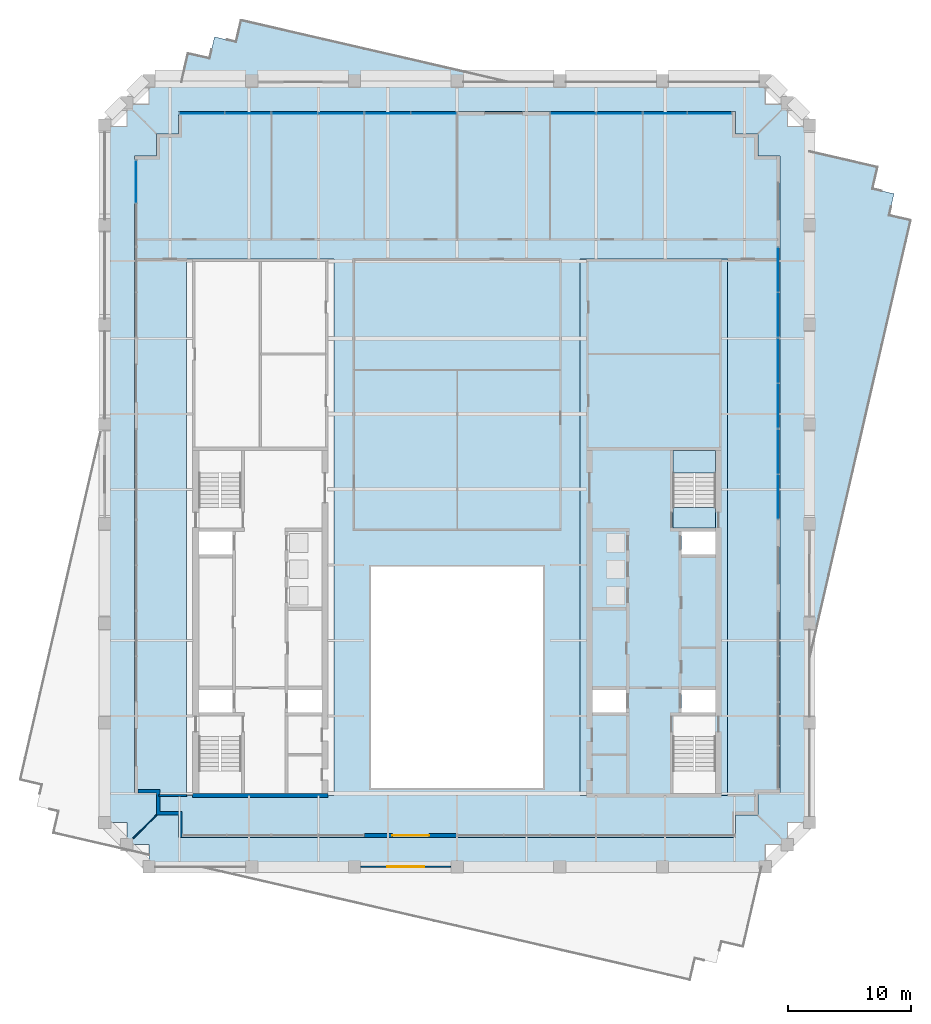
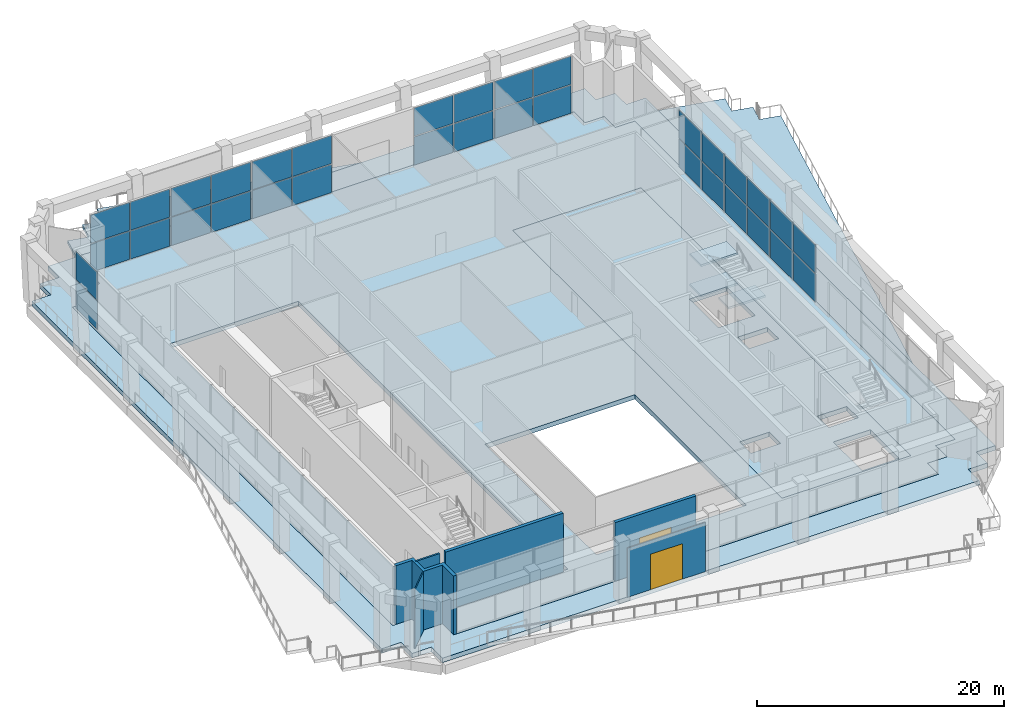
# One storey, part 10 of 20: 34 plates, 8 slabs, 6 walls, 2 doors, 2 openings, 10 elements without a shape of their own.
"""IFC4 building model written with IfcOpenShell, lengths in metres."""

from ifc_helpers import new_model, si_unit, direction, frame, frame_2d, origin, origin_2d, place, context, subcontext, project, spatial, polyline, rectangle, outline, extrude, material, layer, layer_set, type_object, element, fill, aggregate, save


model = new_model("IFC4")

# Units and contexts
model_context = context("Model", 3, precision=1e-05, world=origin(), true_north=direction((0.0, 1.0)))
body_context = subcontext(model_context, "Body", "Model", "MODEL_VIEW")
ifc_project = project(units=[si_unit("LENGTHUNIT", "METRE"), si_unit("AREAUNIT", "SQUARE_METRE"), si_unit("VOLUMEUNIT", "CUBIC_METRE"), si_unit("PLANEANGLEUNIT", "RADIAN"), si_unit("MASSUNIT", "GRAM", prefix="KILO")], contexts=[model_context])

# Site, building, storey
site_placement = place(None, origin())
site = spatial("IfcSite", under=ifc_project, at=site_placement, CompositionType="ELEMENT")
building_placement = place(site_placement, origin())
building = spatial("IfcBuilding", under=site, at=building_placement, Name="Ogive Exchange Tower", CompositionType="ELEMENT")
storey_placement = place(building_placement, frame((0.0, 0.0, 303.0)))
storey = spatial("IfcBuildingStorey", under=building, at=storey_placement, Name="L66", CompositionType="ELEMENT", Elevation=303.0)

# Slab
ifc_material_1 = material(Name="Concrete C70/85", Category="concrete")
ifc_layer_1 = layer(ifc_material_1, 0.449951171875)
ifc_layer_set_1 = layer_set([ifc_layer_1], Name="Core floor slab 450")
slab_type_1 = type_object("IfcSlabType", Name="Core floor slab 450", PredefinedType="FLOOR", material=ifc_layer_set_1)
slab_1_placement = place(storey_placement, frame((0.0, 0.0, -0.449951171875)))
element("IfcSlab", 1, at=slab_1_placement, inside=storey, type_object=slab_type_1, Name="Core floor slab", PredefinedType="FLOOR", context=body_context, shape_type="SweptSolid", body=[
    extrude(outline(polyline([(10.0, -2.60009765625), (10.0, 41.0), (22.0, 41.0), (22.0, -2.60009765625), (10.0, -2.60009765625)]), holes=[polyline([(21.0, 2.196044921875), (17.550048828125, 2.196044921875), (17.550048828125, -2.449951171875), (21.0, -2.449951171875), (21.0, 2.196044921875)]), polyline([(11.0, 5.992919921875), (11.0, 4.14990234375), (13.75, 4.14990234375), (13.75, 5.992919921875), (11.0, 5.992919921875)]), polyline([(18.25, 5.992919921875), (18.25, 4.14990234375), (21.0, 4.14990234375), (21.0, 5.992919921875), (18.25, 5.992919921875)]), polyline([(21.0, 18.85009765625), (18.25, 18.85009765625), (18.25, 17.007080078125), (21.0, 17.007080078125), (21.0, 18.85009765625)]), polyline([(17.550048828125, 25.449951171875), (17.550048828125, 20.803955078125), (21.0, 20.803955078125), (21.0, 25.449951171875), (17.550048828125, 25.449951171875)])]), origin(), (0.0, 0.0, 1.0), 0.449951171875),
])

# Curtain wall, plates
ifc_material_2 = material(Name="Anodised aluminium and clear glass", Category="aluminium")
curtain_wall_type = type_object("IfcCurtainWallType", Name="Winter garden glazing", PredefinedType="NOTDEFINED", material=ifc_material_2)
curtain_wall_1_placement = place(storey_placement, origin())
curtain_wall_1 = element("IfcCurtainWall", 2, at=curtain_wall_1_placement, inside=storey, type_object=curtain_wall_type, Name="Winter garden glazing run G10", PredefinedType="NOTDEFINED")
ifc_material_3 = material(Name="Clear glass", Category="glass")
ifc_layer_2 = layer(ifc_material_3, 0.035888671875)
ifc_layer_set_2 = layer_set([ifc_layer_2], Name="Laminated clear glass panel 36")
plate_type = type_object("IfcPlateType", Name="Laminated clear glass panel 36", PredefinedType="CURTAIN_PANEL", material=ifc_layer_set_2)
plate_1_placement = place(storey_placement, frame((26.10009765625, 21.669921875, 0.080078125), z_axis=(0.0, 0.0, 1.0), x_axis=(0.0, 1.0, 0.0)))
plate_1 = element("IfcPlate", 3, at=plate_1_placement, type_object=plate_type, Name="G10 panel 1.1", PredefinedType="CURTAIN_PANEL", context=body_context, shape_type="SweptSolid", body=[
    extrude(rectangle(XDim=3.580078125, YDim=0.035888671875, at=origin_2d()), origin(), (0.0, 0.0, 1.0), 2.780029296875),
])
plate_2_placement = place(storey_placement, frame((26.10009765625, 21.669921875, 2.93994140625), z_axis=(0.0, 0.0, 1.0), x_axis=(0.0, 1.0, 0.0)))
plate_2 = element("IfcPlate", 4, at=plate_2_placement, type_object=plate_type, Name="G10 panel 1.2", PredefinedType="CURTAIN_PANEL", context=body_context, shape_type="SweptSolid", body=[
    extrude(rectangle(XDim=3.580078125, YDim=0.035888671875, at=origin_2d()), origin(), (0.0, 0.0, 1.0), 2.780029296875),
])
plate_3_placement = place(storey_placement, frame((26.10009765625, 25.330078125, 0.080078125), z_axis=(0.0, 0.0, 1.0), x_axis=(0.0, 1.0, 0.0)))
plate_3 = element("IfcPlate", 5, at=plate_3_placement, type_object=plate_type, Name="G10 panel 2.1", PredefinedType="CURTAIN_PANEL", context=body_context, shape_type="SweptSolid", body=[
    extrude(rectangle(XDim=3.580078125, YDim=0.035888671875, at=origin_2d()), origin(), (0.0, 0.0, 1.0), 2.780029296875),
])
plate_4_placement = place(storey_placement, frame((26.10009765625, 25.330078125, 2.93994140625), z_axis=(0.0, 0.0, 1.0), x_axis=(0.0, 1.0, 0.0)))
plate_4 = element("IfcPlate", 6, at=plate_4_placement, type_object=plate_type, Name="G10 panel 2.2", PredefinedType="CURTAIN_PANEL", context=body_context, shape_type="SweptSolid", body=[
    extrude(rectangle(XDim=3.580078125, YDim=0.035888671875, at=origin_2d()), origin(), (0.0, 0.0, 1.0), 2.780029296875),
])
aggregate(curtain_wall_1, [plate_1, plate_2, plate_3, plate_4])

curtain_wall_2_placement = place(storey_placement, origin())
curtain_wall_2 = element("IfcCurtainWall", 7, at=curtain_wall_2_placement, inside=storey, type_object=curtain_wall_type, Name="Winter garden glazing run G11", PredefinedType="NOTDEFINED")
plate_5_placement = place(storey_placement, frame((26.10009765625, 29.070068359375, 0.080078125), z_axis=(0.0, 0.0, 1.0), x_axis=(0.0, 1.0, 0.0)))
plate_5 = element("IfcPlate", 8, at=plate_5_placement, type_object=plate_type, Name="G11 panel 1.1", PredefinedType="CURTAIN_PANEL", context=body_context, shape_type="SweptSolid", body=[
    extrude(rectangle(XDim=3.580078125, YDim=0.035888671875, at=origin_2d()), origin(), (0.0, 0.0, 1.0), 2.780029296875),
])
plate_6_placement = place(storey_placement, frame((26.10009765625, 29.070068359375, 2.93994140625), z_axis=(0.0, 0.0, 1.0), x_axis=(0.0, 1.0, 0.0)))
plate_6 = element("IfcPlate", 9, at=plate_6_placement, type_object=plate_type, Name="G11 panel 1.2", PredefinedType="CURTAIN_PANEL", context=body_context, shape_type="SweptSolid", body=[
    extrude(rectangle(XDim=3.580078125, YDim=0.035888671875, at=origin_2d()), origin(), (0.0, 0.0, 1.0), 2.780029296875),
])
plate_7_placement = place(storey_placement, frame((26.10009765625, 32.72998046875, 0.080078125), z_axis=(0.0, 0.0, 1.0), x_axis=(0.0, 1.0, 0.0)))
plate_7 = element("IfcPlate", 10, at=plate_7_placement, type_object=plate_type, Name="G11 panel 2.1", PredefinedType="CURTAIN_PANEL", context=body_context, shape_type="SweptSolid", body=[
    extrude(rectangle(XDim=3.580078125, YDim=0.035888671875, at=origin_2d()), origin(), (0.0, 0.0, 1.0), 2.780029296875),
])
plate_8_placement = place(storey_placement, frame((26.10009765625, 32.72998046875, 2.93994140625), z_axis=(0.0, 0.0, 1.0), x_axis=(0.0, 1.0, 0.0)))
plate_8 = element("IfcPlate", 11, at=plate_8_placement, type_object=plate_type, Name="G11 panel 2.2", PredefinedType="CURTAIN_PANEL", context=body_context, shape_type="SweptSolid", body=[
    extrude(rectangle(XDim=3.580078125, YDim=0.035888671875, at=origin_2d()), origin(), (0.0, 0.0, 1.0), 2.780029296875),
])
aggregate(curtain_wall_2, [plate_5, plate_6, plate_7, plate_8])

curtain_wall_3_placement = place(storey_placement, origin())
curtain_wall_3 = element("IfcCurtainWall", 12, at=curtain_wall_3_placement, inside=storey, type_object=curtain_wall_type, Name="Winter garden glazing run G12", PredefinedType="NOTDEFINED")
plate_9_placement = place(storey_placement, frame((26.10009765625, 36.469970703125, 0.080078125), z_axis=(0.0, 0.0, 1.0), x_axis=(0.0, 1.0, 0.0)))
plate_9 = element("IfcPlate", 13, at=plate_9_placement, type_object=plate_type, Name="G12 panel 1.1", PredefinedType="CURTAIN_PANEL", context=body_context, shape_type="SweptSolid", body=[
    extrude(rectangle(XDim=3.580078125, YDim=0.035888671875, at=origin_2d()), origin(), (0.0, 0.0, 1.0), 2.780029296875),
])
plate_10_placement = place(storey_placement, frame((26.10009765625, 36.469970703125, 2.93994140625), z_axis=(0.0, 0.0, 1.0), x_axis=(0.0, 1.0, 0.0)))
plate_10 = element("IfcPlate", 14, at=plate_10_placement, type_object=plate_type, Name="G12 panel 1.2", PredefinedType="CURTAIN_PANEL", context=body_context, shape_type="SweptSolid", body=[
    extrude(rectangle(XDim=3.580078125, YDim=0.035888671875, at=origin_2d()), origin(), (0.0, 0.0, 1.0), 2.780029296875),
])
plate_11_placement = place(storey_placement, frame((26.10009765625, 40.1298828125, 0.080078125), z_axis=(0.0, 0.0, 1.0), x_axis=(0.0, 1.0, 0.0)))
plate_11 = element("IfcPlate", 15, at=plate_11_placement, type_object=plate_type, Name="G12 panel 2.1", PredefinedType="CURTAIN_PANEL", context=body_context, shape_type="SweptSolid", body=[
    extrude(rectangle(XDim=3.580078125, YDim=0.035888671875, at=origin_2d()), origin(), (0.0, 0.0, 1.0), 2.780029296875),
])
plate_12_placement = place(storey_placement, frame((26.10009765625, 40.1298828125, 2.93994140625), z_axis=(0.0, 0.0, 1.0), x_axis=(0.0, 1.0, 0.0)))
plate_12 = element("IfcPlate", 16, at=plate_12_placement, type_object=plate_type, Name="G12 panel 2.2", PredefinedType="CURTAIN_PANEL", context=body_context, shape_type="SweptSolid", body=[
    extrude(rectangle(XDim=3.580078125, YDim=0.035888671875, at=origin_2d()), origin(), (0.0, 0.0, 1.0), 2.780029296875),
])
aggregate(curtain_wall_3, [plate_9, plate_10, plate_11, plate_12])

curtain_wall_4_placement = place(storey_placement, origin())
curtain_wall_4 = element("IfcCurtainWall", 17, at=curtain_wall_4_placement, inside=storey, type_object=curtain_wall_type, Name="Winter garden glazing run G14", PredefinedType="NOTDEFINED")
plate_13_placement = place(storey_placement, frame((20.517578125, 52.85009765625, 0.080078125), z_axis=(0.0, 0.0, 1.0), x_axis=(-1.0, 0.0, 0.0)))
plate_13 = element("IfcPlate", 18, at=plate_13_placement, type_object=plate_type, Name="G14 panel 1.1", PredefinedType="CURTAIN_PANEL", context=body_context, shape_type="SweptSolid", body=[
    extrude(rectangle(XDim=3.5048828125, YDim=0.035888671875, at=origin_2d()), origin(), (0.0, 0.0, 1.0), 2.780029296875),
])
plate_14_placement = place(storey_placement, frame((20.517578125, 52.85009765625, 2.93994140625), z_axis=(0.0, 0.0, 1.0), x_axis=(-1.0, 0.0, 0.0)))
plate_14 = element("IfcPlate", 19, at=plate_14_placement, type_object=plate_type, Name="G14 panel 1.2", PredefinedType="CURTAIN_PANEL", context=body_context, shape_type="SweptSolid", body=[
    extrude(rectangle(XDim=3.5048828125, YDim=0.035888671875, at=origin_2d()), origin(), (0.0, 0.0, 1.0), 2.780029296875),
])
plate_15_placement = place(storey_placement, frame((16.9326171875, 52.85009765625, 0.080078125), z_axis=(0.0, 0.0, 1.0), x_axis=(-1.0, 0.0, 0.0)))
plate_15 = element("IfcPlate", 20, at=plate_15_placement, type_object=plate_type, Name="G14 panel 2.1", PredefinedType="CURTAIN_PANEL", context=body_context, shape_type="SweptSolid", body=[
    extrude(rectangle(XDim=3.5048828125, YDim=0.035888671875, at=origin_2d()), origin(), (0.0, 0.0, 1.0), 2.780029296875),
])
plate_16_placement = place(storey_placement, frame((16.9326171875, 52.85009765625, 2.93994140625), z_axis=(0.0, 0.0, 1.0), x_axis=(-1.0, 0.0, 0.0)))
plate_16 = element("IfcPlate", 21, at=plate_16_placement, type_object=plate_type, Name="G14 panel 2.2", PredefinedType="CURTAIN_PANEL", context=body_context, shape_type="SweptSolid", body=[
    extrude(rectangle(XDim=3.5048828125, YDim=0.035888671875, at=origin_2d()), origin(), (0.0, 0.0, 1.0), 2.780029296875),
])
aggregate(curtain_wall_4, [plate_13, plate_14, plate_15, plate_16])

curtain_wall_5_placement = place(storey_placement, origin())
curtain_wall_5 = element("IfcCurtainWall", 22, at=curtain_wall_5_placement, inside=storey, type_object=curtain_wall_type, Name="Winter garden glazing run G15", PredefinedType="NOTDEFINED")
plate_17_placement = place(storey_placement, frame((13.1923828125, 52.85009765625, 0.080078125), z_axis=(0.0, 0.0, 1.0), x_axis=(-1.0, 0.0, 0.0)))
plate_17 = element("IfcPlate", 23, at=plate_17_placement, type_object=plate_type, Name="G15 panel 1.1", PredefinedType="CURTAIN_PANEL", context=body_context, shape_type="SweptSolid", body=[
    extrude(rectangle(XDim=3.655029296875, YDim=0.035888671875, at=origin_2d()), origin(), (0.0, 0.0, 1.0), 2.780029296875),
])
plate_18_placement = place(storey_placement, frame((13.1923828125, 52.85009765625, 2.93994140625), z_axis=(0.0, 0.0, 1.0), x_axis=(-1.0, 0.0, 0.0)))
plate_18 = element("IfcPlate", 24, at=plate_18_placement, type_object=plate_type, Name="G15 panel 1.2", PredefinedType="CURTAIN_PANEL", context=body_context, shape_type="SweptSolid", body=[
    extrude(rectangle(XDim=3.655029296875, YDim=0.035888671875, at=origin_2d()), origin(), (0.0, 0.0, 1.0), 2.780029296875),
])
plate_19_placement = place(storey_placement, frame((9.45751953125, 52.85009765625, 0.080078125), z_axis=(0.0, 0.0, 1.0), x_axis=(-1.0, 0.0, 0.0)))
plate_19 = element("IfcPlate", 25, at=plate_19_placement, type_object=plate_type, Name="G15 panel 2.1", PredefinedType="CURTAIN_PANEL", context=body_context, shape_type="SweptSolid", body=[
    extrude(rectangle(XDim=3.655029296875, YDim=0.035888671875, at=origin_2d()), origin(), (0.0, 0.0, 1.0), 2.780029296875),
])
plate_20_placement = place(storey_placement, frame((9.45751953125, 52.85009765625, 2.93994140625), z_axis=(0.0, 0.0, 1.0), x_axis=(-1.0, 0.0, 0.0)))
plate_20 = element("IfcPlate", 26, at=plate_20_placement, type_object=plate_type, Name="G15 panel 2.2", PredefinedType="CURTAIN_PANEL", context=body_context, shape_type="SweptSolid", body=[
    extrude(rectangle(XDim=3.655029296875, YDim=0.035888671875, at=origin_2d()), origin(), (0.0, 0.0, 1.0), 2.780029296875),
])
aggregate(curtain_wall_5, [plate_17, plate_18, plate_19, plate_20])

curtain_wall_6_placement = place(storey_placement, origin())
curtain_wall_6 = element("IfcCurtainWall", 27, at=curtain_wall_6_placement, inside=storey, type_object=curtain_wall_type, Name="Winter garden glazing run G17", PredefinedType="NOTDEFINED")
plate_21_placement = place(storey_placement, frame((-1.907470703125, 52.85009765625, 0.080078125), z_axis=(0.0, 0.0, 1.0), x_axis=(-1.0, 0.0, 0.0)))
plate_21 = element("IfcPlate", 28, at=plate_21_placement, type_object=plate_type, Name="G17 panel 1.1", PredefinedType="CURTAIN_PANEL", context=body_context, shape_type="SweptSolid", body=[
    extrude(rectangle(XDim=3.655029296875, YDim=0.035888671875, at=origin_2d()), origin(), (0.0, 0.0, 1.0), 2.780029296875),
])
plate_22_placement = place(storey_placement, frame((-1.907470703125, 52.85009765625, 2.93994140625), z_axis=(0.0, 0.0, 1.0), x_axis=(-1.0, 0.0, 0.0)))
plate_22 = element("IfcPlate", 29, at=plate_22_placement, type_object=plate_type, Name="G17 panel 1.2", PredefinedType="CURTAIN_PANEL", context=body_context, shape_type="SweptSolid", body=[
    extrude(rectangle(XDim=3.655029296875, YDim=0.035888671875, at=origin_2d()), origin(), (0.0, 0.0, 1.0), 2.780029296875),
])
plate_23_placement = place(storey_placement, frame((-5.642578125, 52.85009765625, 0.080078125), z_axis=(0.0, 0.0, 1.0), x_axis=(-1.0, 0.0, 0.0)))
plate_23 = element("IfcPlate", 30, at=plate_23_placement, type_object=plate_type, Name="G17 panel 2.1", PredefinedType="CURTAIN_PANEL", context=body_context, shape_type="SweptSolid", body=[
    extrude(rectangle(XDim=3.655029296875, YDim=0.035888671875, at=origin_2d()), origin(), (0.0, 0.0, 1.0), 2.780029296875),
])
plate_24_placement = place(storey_placement, frame((-5.642578125, 52.85009765625, 2.93994140625), z_axis=(0.0, 0.0, 1.0), x_axis=(-1.0, 0.0, 0.0)))
plate_24 = element("IfcPlate", 31, at=plate_24_placement, type_object=plate_type, Name="G17 panel 2.2", PredefinedType="CURTAIN_PANEL", context=body_context, shape_type="SweptSolid", body=[
    extrude(rectangle(XDim=3.655029296875, YDim=0.035888671875, at=origin_2d()), origin(), (0.0, 0.0, 1.0), 2.780029296875),
])
aggregate(curtain_wall_6, [plate_21, plate_22, plate_23, plate_24])

curtain_wall_7_placement = place(storey_placement, origin())
curtain_wall_7 = element("IfcCurtainWall", 32, at=curtain_wall_7_placement, inside=storey, type_object=curtain_wall_type, Name="Winter garden glazing run G18", PredefinedType="NOTDEFINED")
plate_25_placement = place(storey_placement, frame((-9.45751953125, 52.85009765625, 0.080078125), z_axis=(0.0, 0.0, 1.0), x_axis=(-1.0, 0.0, 0.0)))
plate_25 = element("IfcPlate", 33, at=plate_25_placement, type_object=plate_type, Name="G18 panel 1.1", PredefinedType="CURTAIN_PANEL", context=body_context, shape_type="SweptSolid", body=[
    extrude(rectangle(XDim=3.655029296875, YDim=0.035888671875, at=origin_2d()), origin(), (0.0, 0.0, 1.0), 2.780029296875),
])
plate_26_placement = place(storey_placement, frame((-9.45751953125, 52.85009765625, 2.93994140625), z_axis=(0.0, 0.0, 1.0), x_axis=(-1.0, 0.0, 0.0)))
plate_26 = element("IfcPlate", 34, at=plate_26_placement, type_object=plate_type, Name="G18 panel 1.2", PredefinedType="CURTAIN_PANEL", context=body_context, shape_type="SweptSolid", body=[
    extrude(rectangle(XDim=3.655029296875, YDim=0.035888671875, at=origin_2d()), origin(), (0.0, 0.0, 1.0), 2.780029296875),
])
plate_27_placement = place(storey_placement, frame((-13.1923828125, 52.85009765625, 0.080078125), z_axis=(0.0, 0.0, 1.0), x_axis=(-1.0, 0.0, 0.0)))
plate_27 = element("IfcPlate", 35, at=plate_27_placement, type_object=plate_type, Name="G18 panel 2.1", PredefinedType="CURTAIN_PANEL", context=body_context, shape_type="SweptSolid", body=[
    extrude(rectangle(XDim=3.655029296875, YDim=0.035888671875, at=origin_2d()), origin(), (0.0, 0.0, 1.0), 2.780029296875),
])
plate_28_placement = place(storey_placement, frame((-13.1923828125, 52.85009765625, 2.93994140625), z_axis=(0.0, 0.0, 1.0), x_axis=(-1.0, 0.0, 0.0)))
plate_28 = element("IfcPlate", 36, at=plate_28_placement, type_object=plate_type, Name="G18 panel 2.2", PredefinedType="CURTAIN_PANEL", context=body_context, shape_type="SweptSolid", body=[
    extrude(rectangle(XDim=3.655029296875, YDim=0.035888671875, at=origin_2d()), origin(), (0.0, 0.0, 1.0), 2.780029296875),
])
aggregate(curtain_wall_7, [plate_25, plate_26, plate_27, plate_28])

curtain_wall_8_placement = place(storey_placement, origin())
curtain_wall_8 = element("IfcCurtainWall", 37, at=curtain_wall_8_placement, inside=storey, type_object=curtain_wall_type, Name="Winter garden glazing run G19", PredefinedType="NOTDEFINED")
plate_29_placement = place(storey_placement, frame((-17.007568359375, 52.85009765625, 0.080078125), z_axis=(0.0, 0.0, 1.0), x_axis=(-1.0, 0.0, 0.0)))
plate_29 = element("IfcPlate", 38, at=plate_29_placement, type_object=plate_type, Name="G19 panel 1.1", PredefinedType="CURTAIN_PANEL", context=body_context, shape_type="SweptSolid", body=[
    extrude(rectangle(XDim=3.655029296875, YDim=0.035888671875, at=origin_2d()), origin(), (0.0, 0.0, 1.0), 2.780029296875),
])
plate_30_placement = place(storey_placement, frame((-17.007568359375, 52.85009765625, 2.93994140625), z_axis=(0.0, 0.0, 1.0), x_axis=(-1.0, 0.0, 0.0)))
plate_30 = element("IfcPlate", 39, at=plate_30_placement, type_object=plate_type, Name="G19 panel 1.2", PredefinedType="CURTAIN_PANEL", context=body_context, shape_type="SweptSolid", body=[
    extrude(rectangle(XDim=3.655029296875, YDim=0.035888671875, at=origin_2d()), origin(), (0.0, 0.0, 1.0), 2.780029296875),
])
plate_31_placement = place(storey_placement, frame((-20.742431640625, 52.85009765625, 0.080078125), z_axis=(0.0, 0.0, 1.0), x_axis=(-1.0, 0.0, 0.0)))
plate_31 = element("IfcPlate", 40, at=plate_31_placement, type_object=plate_type, Name="G19 panel 2.1", PredefinedType="CURTAIN_PANEL", context=body_context, shape_type="SweptSolid", body=[
    extrude(rectangle(XDim=3.655029296875, YDim=0.035888671875, at=origin_2d()), origin(), (0.0, 0.0, 1.0), 2.780029296875),
])
plate_32_placement = place(storey_placement, frame((-20.742431640625, 52.85009765625, 2.93994140625), z_axis=(0.0, 0.0, 1.0), x_axis=(-1.0, 0.0, 0.0)))
plate_32 = element("IfcPlate", 41, at=plate_32_placement, type_object=plate_type, Name="G19 panel 2.2", PredefinedType="CURTAIN_PANEL", context=body_context, shape_type="SweptSolid", body=[
    extrude(rectangle(XDim=3.655029296875, YDim=0.035888671875, at=origin_2d()), origin(), (0.0, 0.0, 1.0), 2.780029296875),
])
aggregate(curtain_wall_8, [plate_29, plate_30, plate_31, plate_32])

curtain_wall_9_placement = place(storey_placement, origin())
curtain_wall_9 = element("IfcCurtainWall", 42, at=curtain_wall_9_placement, inside=storey, type_object=curtain_wall_type, Name="Winter garden glazing run G20", PredefinedType="NOTDEFINED")
plate_33_placement = place(storey_placement, frame((-26.10009765625, 47.304931640625, 0.080078125), z_axis=(0.0, 0.0, 1.0), x_axis=(0.0, -1.0, 0.0)))
plate_33 = element("IfcPlate", 43, at=plate_33_placement, type_object=plate_type, Name="G20 panel 1.1", PredefinedType="CURTAIN_PANEL", context=body_context, shape_type="SweptSolid", body=[
    extrude(rectangle(XDim=3.429931640625, YDim=0.035888671875, at=origin_2d()), origin(), (0.0, 0.0, 1.0), 2.780029296875),
])
plate_34_placement = place(storey_placement, frame((-26.10009765625, 47.304931640625, 2.93994140625), z_axis=(0.0, 0.0, 1.0), x_axis=(0.0, -1.0, 0.0)))
plate_34 = element("IfcPlate", 44, at=plate_34_placement, type_object=plate_type, Name="G20 panel 1.2", PredefinedType="CURTAIN_PANEL", context=body_context, shape_type="SweptSolid", body=[
    extrude(rectangle(XDim=3.429931640625, YDim=0.035888671875, at=origin_2d()), origin(), (0.0, 0.0, 1.0), 2.780029296875),
])
aggregate(curtain_wall_9, [plate_33, plate_34])

# Slab
ifc_material_4 = material(Name="Concrete C50/60", Category="concrete")
ifc_layer_3 = layer(ifc_material_4, 0.449951171875)
ifc_layer_set_3 = layer_set([ifc_layer_3], Name="Loggia deck 450")
slab_type_2 = type_object("IfcSlabType", Name="Loggia deck 450", PredefinedType="FLOOR", material=ifc_layer_set_3)
slab_2_placement = place(storey_placement, frame((0.0, 0.0, -0.449951171875)))
element("IfcSlab", 45, at=slab_2_placement, inside=storey, type_object=slab_type_2, Name="Loggia deck", PredefinedType="FLOOR", context=body_context, shape_type="SweptSolid", body=[
    extrude(outline(polyline([(-26.85009765625, -6.60009765625), (-26.85009765625, -4.800048828125), (-28.64990234375, -4.800048828125), (-28.64990234375, 51.800048828125), (-26.85009765625, 51.800048828125), (-26.85009765625, 53.60009765625), (-25.050048828125, 53.60009765625), (-25.050048828125, 55.39990234375), (25.050048828125, 55.39990234375), (25.050048828125, 53.60009765625), (26.85009765625, 53.60009765625), (26.85009765625, 51.800048828125), (28.64990234375, 51.800048828125), (28.64990234375, -4.800048828125), (26.85009765625, -4.800048828125), (26.85009765625, -6.60009765625), (25.050048828125, -6.60009765625), (25.050048828125, -8.39990234375), (-25.050048828125, -8.39990234375), (-25.050048828125, -6.60009765625), (-26.85009765625, -6.60009765625)]), holes=[polyline([(22.64990234375, -4.199951171875), (24.449951171875, -4.199951171875), (24.449951171875, -2.39990234375), (26.25, -2.39990234375), (26.25, 49.39990234375), (24.449951171875, 49.39990234375), (24.449951171875, 51.199951171875), (22.64990234375, 51.199951171875), (22.64990234375, 53.0), (-22.64990234375, 53.0), (-22.64990234375, 51.199951171875), (-24.449951171875, 51.199951171875), (-24.449951171875, 49.39990234375), (-26.25, 49.39990234375), (-26.25, -2.39990234375), (-24.449951171875, -2.39990234375), (-24.449951171875, -4.199951171875), (-22.64990234375, -4.199951171875), (-22.64990234375, -6.0), (22.64990234375, -6.0), (22.64990234375, -4.199951171875)])]), origin(), (0.0, 0.0, 1.0), 0.449951171875),
])

# Stair, slabs
ifc_material_5 = material(Name="Concrete C40/50", Category="concrete")
stair_type = type_object("IfcStairType", Name="Exit stair 1650 wide", PredefinedType="HALF_TURN_STAIR", material=ifc_material_5)
stair_placement = place(storey_placement, origin())
stair = element("IfcStair", 46, at=stair_placement, inside=storey, type_object=stair_type, Name="L66 exit stair ST4", PredefinedType="HALF_TURN_STAIR")
ifc_layer_4 = layer(ifc_material_5, 0.199951171875)
ifc_layer_set_4 = layer_set([ifc_layer_4], Name="Stair landing 200 slab")
slab_type_3 = type_object("IfcSlabType", Name="Stair landing 200 slab", PredefinedType="LANDING", material=ifc_layer_set_4)
slab_3_placement = place(storey_placement, frame((0.0, 0.0, 1.300048828125)))
slab_3 = element("IfcSlab", 47, at=slab_3_placement, type_object=slab_type_3, Name="ST4 landing 1", PredefinedType="LANDING", context=body_context, shape_type="SweptSolid", body=[
    extrude(outline(polyline([(21.0, 23.60791015625), (21.0, 25.449951171875), (17.550048828125, 25.449951171875), (17.550048828125, 23.60791015625), (21.0, 23.60791015625)])), origin(), (0.0, 0.0, 1.0), 0.199951171875),
])
slab_4_placement = place(storey_placement, frame((0.0, 0.0, 2.800048828125)))
slab_4 = element("IfcSlab", 48, at=slab_4_placement, type_object=slab_type_3, Name="ST4 landing 2", PredefinedType="LANDING", context=body_context, shape_type="SweptSolid", body=[
    extrude(outline(polyline([(21.0, 19.14990234375), (21.0, 20.800048828125), (17.550048828125, 20.800048828125), (17.550048828125, 19.14990234375), (21.0, 19.14990234375)])), origin(), (0.0, 0.0, 1.0), 0.199951171875),
])
slab_5_placement = place(storey_placement, frame((0.0, 0.0, 4.300048828125)))
slab_5 = element("IfcSlab", 49, at=slab_5_placement, type_object=slab_type_3, Name="ST4 landing 3", PredefinedType="LANDING", context=body_context, shape_type="SweptSolid", body=[
    extrude(outline(polyline([(21.0, 23.60791015625), (21.0, 25.449951171875), (17.550048828125, 25.449951171875), (17.550048828125, 23.60791015625), (21.0, 23.60791015625)])), origin(), (0.0, 0.0, 1.0), 0.199951171875),
])
aggregate(stair, [slab_3, slab_4, slab_5])

# Slabs
ifc_layer_5 = layer(ifc_material_4, 0.300048828125)
ifc_layer_set_5 = layer_set([ifc_layer_5], Name="Terrace deck 300")
slab_type_4 = type_object("IfcSlabType", Name="Terrace deck 300", PredefinedType="FLOOR", material=ifc_layer_set_5)
slab_6_placement = place(storey_placement, frame((0.0, 0.0, -0.300048828125)))
element("IfcSlab", 50, at=slab_6_placement, inside=storey, type_object=slab_type_4, Name="Terrace deck", PredefinedType="FLOOR", context=body_context, shape_type="SweptSolid", body=[
    extrude(outline(polyline([(33.765380859375, 46.727783203125), (35.519287109375, 46.322998046875), (35.1142578125, 44.569091796875), (36.8681640625, 44.164306640625), (28.64990234375, 8.567626953125), (28.64990234375, 49.756103515625), (34.170166015625, 48.481689453125), (33.765380859375, 46.727783203125)])), origin(), (0.0, 0.0, 1.0), 0.300048828125),
])
slab_7_placement = place(storey_placement, frame((0.0, 0.0, -0.300048828125)))
element("IfcSlab", 51, at=slab_7_placement, inside=storey, type_object=slab_type_4, Name="Terrace deck", PredefinedType="FLOOR", context=body_context, shape_type="SweptSolid", body=[
    extrude(outline(polyline([(-20.132568359375, 57.323974609375), (-19.7275390625, 59.077880859375), (-17.9736328125, 58.6728515625), (-17.56884765625, 60.4267578125), (4.2041015625, 55.39990234375), (-22.424072265625, 55.39990234375), (-21.886474609375, 57.728759765625), (-20.132568359375, 57.323974609375)])), origin(), (0.0, 0.0, 1.0), 0.300048828125),
])
ifc_layer_6 = layer(ifc_material_4, 0.449951171875)
ifc_layer_set_6 = layer_set([ifc_layer_6], Name="Transfer floor slab 450")
slab_type_5 = type_object("IfcSlabType", Name="Transfer floor slab 450", PredefinedType="FLOOR", material=ifc_layer_set_6)
slab_8_placement = place(storey_placement, frame((0.0, 0.0, -0.449951171875)))
element("IfcSlab", 52, at=slab_8_placement, inside=storey, type_object=slab_type_5, Name="Transfer floor slab", PredefinedType="FLOOR", context=body_context, shape_type="SweptSolid", body=[
    extrude(outline(polyline([(-22.64990234375, -4.199951171875), (-24.449951171875, -4.199951171875), (-24.449951171875, -2.39990234375), (-26.25, -2.39990234375), (-26.25, 49.39990234375), (-24.449951171875, 49.39990234375), (-24.449951171875, 51.199951171875), (-22.64990234375, 51.199951171875), (-22.64990234375, 53.0), (22.64990234375, 53.0), (22.64990234375, 51.199951171875), (24.449951171875, 51.199951171875), (24.449951171875, 49.39990234375), (26.25, 49.39990234375), (26.25, -2.39990234375), (24.449951171875, -2.39990234375), (24.449951171875, -4.199951171875), (22.64990234375, -4.199951171875), (22.64990234375, -6.0), (-22.64990234375, -6.0), (-22.64990234375, -4.199951171875)]), holes=[polyline([(7.0, -2.0), (7.0, 16.0), (-7.0, 16.0), (-7.0, -2.0), (7.0, -2.0)]), polyline([(-22.0, -2.60009765625), (-10.0, -2.60009765625), (-10.0, 41.0), (-22.0, 41.0), (-22.0, -2.60009765625)]), polyline([(10.0, -2.60009765625), (22.0, -2.60009765625), (22.0, 41.0), (10.0, 41.0), (10.0, -2.60009765625)])]), origin(), (0.0, 0.0, 1.0), 0.449951171875),
])

# Wall
ifc_material_6 = material(Name="Fire partition EI 60 150")
ifc_layer_7 = layer(ifc_material_6, 0.14990234375)
ifc_layer_set_7 = layer_set([ifc_layer_7], Name="Fire partition EI 60 150")
wall_type_1 = type_object("IfcWallType", Name="Fire partition EI 60 150", PredefinedType="PARTITIONING", material=ifc_layer_set_7)
wall_1_placement = place(storey_placement, frame((-24.25, -2.60009765625, 0.0), z_axis=(0.0, 0.0, 1.0), x_axis=(1.0, 0.0, 0.0)))
element("IfcWall", 53, at=wall_1_placement, inside=storey, type_object=wall_type_1, Name="L66-PWL-002", PredefinedType="PARTITIONING", context=body_context, shape_type="SweptSolid", body=[
    extrude(rectangle(XDim=2.25, YDim=0.14990234375, at=frame_2d((1.125, 0.0))), origin(), (0.0, 0.0, 1.0), 5.800048828125),
])

# Wall, opening, door
ifc_material_7 = material(Name="Precast concrete C40/50", Category="concrete")
ifc_layer_8 = layer(ifc_material_7, 0.300048828125)
ifc_layer_set_8 = layer_set([ifc_layer_8], Name="Limestone-faced wall 300")
wall_type_2 = type_object("IfcWallType", Name="Limestone-faced wall 300", PredefinedType="STANDARD", material=ifc_layer_set_8)
wall_2_placement = place(storey_placement, frame((-7.550048828125, -5.85009765625, 0.0), z_axis=(0.0, 0.0, 1.0), x_axis=(1.0, 0.0, 0.0)))
wall_2 = element("IfcWall", 54, at=wall_2_placement, inside=storey, type_object=wall_type_2, Name="External wall S1", PredefinedType="STANDARD", context=body_context, shape_type="SweptSolid", body=[
    extrude(rectangle(XDim=7.550048828125, YDim=0.300048828125, at=frame_2d((3.77490234375, 0.0))), origin(), (0.0, 0.0, 1.0), 5.800048828125),
])
opening_1_placement = place(wall_2_placement, frame((2.27490234375, 0.0, 0.0)))
opening_1 = element("IfcOpeningElement", 55, at=opening_1_placement, cuts=wall_2, Name="Opening D2", PredefinedType="OPENING", context=body_context, shape_type="SweptSolid", body=[
    extrude(rectangle(XDim=3.0, YDim=3.5, at=frame_2d((1.5, 1.75))), frame((0.0, 0.159912109375, 0.0), z_axis=(0.0, -1.0, 0.0), x_axis=(1.0, 0.0, 0.0)), (0.0, 0.0, 1.0), 0.320068359375),
])
ifc_material_8 = material(Name="Clear glass in bronze frame", Category="glass")
door_type_1 = type_object("IfcDoorType", Name="Winter garden sliding door 3000 x 3500", OperationType="DOUBLE_DOOR_SLIDING", PredefinedType="DOOR", material=ifc_material_8)
door_1_placement = place(opening_1_placement, origin())
door_1 = element("IfcDoor", 56, at=door_1_placement, inside=storey, type_object=door_type_1, Name="Loggia door S02", OperationType="DOUBLE_DOOR_SLIDING", OverallHeight=3.5, OverallWidth=3.0, PredefinedType="DOOR", context=body_context, shape_type="SweptSolid", body=[
    extrude(rectangle(XDim=3.0, YDim=3.5, at=frame_2d((1.5, 1.75))), frame((0.0, 0.02490234375, 0.0), z_axis=(0.0, -1.0, 0.0), x_axis=(1.0, 0.0, 0.0)), (0.0, 0.0, 1.0), 0.050048828125),
])
fill(opening_1, door_1)

# Walls
wall_3_placement = place(storey_placement, origin())
element("IfcWall", 57, at=wall_3_placement, inside=storey, type_object=wall_type_2, Name="External corner wall C4", PredefinedType="STANDARD", context=body_context, shape_type="SweptSolid", body=[
    extrude(outline(polyline([(-22.64990234375, -4.199951171875), (-24.449951171875, -4.199951171875), (-24.449951171875, -2.39990234375), (-25.949951171875, -2.39990234375), (-25.949951171875, -2.10009765625), (-24.14990234375, -2.10009765625), (-24.14990234375, -3.89990234375), (-22.35009765625, -3.89990234375), (-22.35009765625, -6.0), (-22.64990234375, -6.0), (-22.64990234375, -4.199951171875)])), origin(), (0.0, 0.0, 1.0), 5.800048828125),
])
ifc_material_9 = material(Name="Laminated safety glass in steel frame", Category="steel")
ifc_layer_9 = layer(ifc_material_9, 0.10009765625)
ifc_layer_set_9 = layer_set([ifc_layer_9], Name="Loggia end screen 100")
wall_type_3 = type_object("IfcWallType", Name="Loggia end screen 100", PredefinedType="STANDARD", material=ifc_layer_set_9)
wall_4_placement = place(storey_placement, frame((-24.449951171875, -4.199951171875, 0.0), z_axis=(0.0, 0.0, 1.0), x_axis=(-0.707106781187, -0.707106781187, 0.0)))
element("IfcWall", 58, at=wall_4_placement, inside=storey, type_object=wall_type_3, Name="Loggia end screen C4", PredefinedType="STANDARD", context=body_context, shape_type="SweptSolid", body=[
    extrude(rectangle(XDim=2.667236328125, YDim=0.10009765625, at=frame_2d((1.33349609375, 0.0))), origin(), (0.0, 0.0, 1.0), 5.800048828125),
])

# Wall, opening, door
wall_5_placement = place(storey_placement, frame((-7.830078125, -8.39990234375, 0.0), z_axis=(0.0, 0.0, 1.0), x_axis=(1.0, 0.0, 0.0)))
wall_5 = element("IfcWall", 59, at=wall_5_placement, inside=storey, type_object=wall_type_3, Name="Terrace screen S02", PredefinedType="STANDARD", context=body_context, shape_type="SweptSolid", body=[
    extrude(rectangle(XDim=7.31005859375, YDim=0.10009765625, at=frame_2d((3.655029296875, 0.0))), origin(), (0.0, 0.0, 1.0), 4.85009765625),
])
opening_2_placement = place(wall_5_placement, frame((2.155029296875, 0.0, 0.0)))
opening_2 = element("IfcOpeningElement", 60, at=opening_2_placement, cuts=wall_5, Name="Opening D4", PredefinedType="OPENING", context=body_context, shape_type="SweptSolid", body=[
    extrude(rectangle(XDim=3.0, YDim=3.5, at=frame_2d((1.5, 1.75))), frame((0.0, 0.06005859375, 0.0), z_axis=(0.0, -1.0, 0.0), x_axis=(1.0, 0.0, 0.0)), (0.0, 0.0, 1.0), 0.1201171875),
])
door_type_2 = type_object("IfcDoorType", Name="Terrace sliding door 3000 x 3500", OperationType="DOUBLE_DOOR_SLIDING", PredefinedType="DOOR", material=ifc_material_8)
door_2_placement = place(opening_2_placement, origin())
door_2 = element("IfcDoor", 61, at=door_2_placement, inside=storey, type_object=door_type_2, Name="Terrace door S02", OperationType="DOUBLE_DOOR_SLIDING", OverallHeight=3.5, OverallWidth=3.0, PredefinedType="DOOR", context=body_context, shape_type="SweptSolid", body=[
    extrude(rectangle(XDim=3.0, YDim=3.5, at=frame_2d((1.5, 1.75))), frame((0.0, 0.02490234375, 0.0), z_axis=(0.0, -1.0, 0.0), x_axis=(1.0, 0.0, 0.0)), (0.0, 0.0, 1.0), 0.050048828125),
])
fill(opening_2, door_2)

# Wall
ifc_layer_10 = layer(ifc_material_1, 0.300048828125)
ifc_layer_set_10 = layer_set([ifc_layer_10], Name="RC core wall 300 C70/85")
wall_type_4 = type_object("IfcWallType", Name="RC core wall 300 C70/85", PredefinedType="SHEAR", material=ifc_layer_set_10)
wall_6_placement = place(storey_placement, frame((-21.5, -2.60009765625, 0.0), z_axis=(0.0, 0.0, 1.0), x_axis=(1.0, 0.0, 0.0)))
element("IfcWall", 62, at=wall_6_placement, inside=storey, type_object=wall_type_4, Name="W south end wall", PredefinedType="SHEAR", context=body_context, shape_type="SweptSolid", body=[
    extrude(rectangle(XDim=11.0, YDim=0.300048828125, at=frame_2d((5.5, 0.0))), origin(), (0.0, 0.0, 1.0), 5.800048828125),
])

save(model, "model.ifc")
